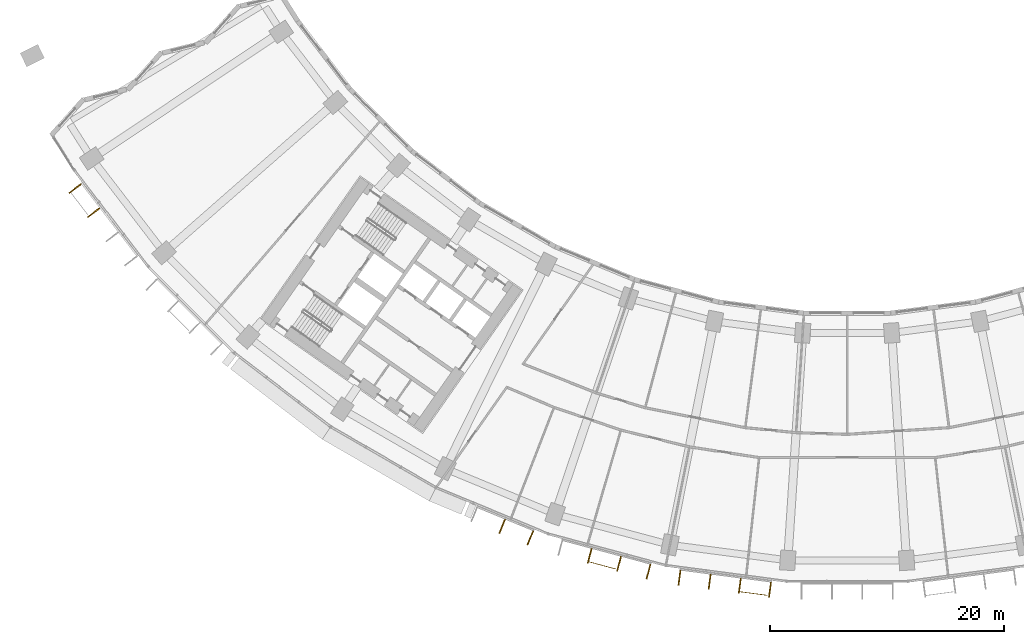
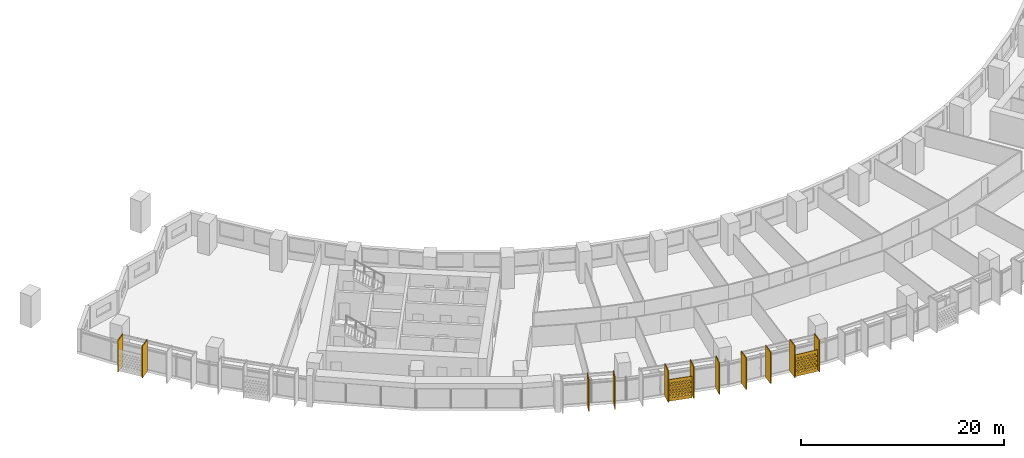
# One storey, part 26 of 31: 13 shading devices.
"""IFC4 building model written with IfcOpenShell, lengths in metres."""

import ifcopenshell
import ifcopenshell.guid

model = None  # the IFC model being written
_history = None  # IfcOwnerHistory: only IFC2X3 demands one
_inside = {}  # id of a spatial element -> (the spatial element, [elements in it])
_under = {}  # id of a project, library or spatial element -> (it, [spatial elements below it])
_declared = {}  # id of a project -> (the project, [libraries it declares])
_typed = {}  # id of a type object -> (the type object, [elements of that type])
_made_of = {}  # id of a material, layer set ... -> (it, [elements and type objects made of it])


def new_model(schema):
    """Start an empty IFC model of exactly this schema.

    Asked for "IFC4X3", IfcOpenShell would pick the latest addendum, in which some entities
    have other attributes; the version numbers below select the first issue.
    IFC2X3 requires an IfcOwnerHistory on every rooted entity: one is made here for all.
    """
    global model, _history
    if schema == "IFC4X3":
        model = ifcopenshell.file(schema_version=(4, 3, 0, 0))
    else:
        model = ifcopenshell.file(schema=schema)
    _inside.clear()
    _under.clear()
    _declared.clear()
    _typed.clear()
    _made_of.clear()
    _history = None
    if model.schema == "IFC2X3":
        org = make("IfcOrganization", Name="unknown")
        user = make(
            "IfcPersonAndOrganization",
            ThePerson=make("IfcPerson", FamilyName="unknown"),
            TheOrganization=org,
        )
        app = make(
            "IfcApplication",
            ApplicationDeveloper=org,
            Version="unknown",
            ApplicationFullName="unknown",
            ApplicationIdentifier="unknown",
        )
        _history = make(
            "IfcOwnerHistory",
            OwningUser=user,
            OwningApplication=app,
            ChangeAction="ADDED",
            CreationDate=0,
        )
    return model


def make(cls, **values):
    """One entity of the class cls with the attributes given. An attribute that is None is left unset."""
    return model.create_entity(
        cls, **{name: value for name, value in values.items() if value is not None}
    )


def rooted(cls, **values):
    """An entity with a GlobalId (a new one), such as an element, a storey or a relation."""
    return make(cls, GlobalId=ifcopenshell.guid.new(), OwnerHistory=_history, **values)


def si_unit(unit_type, name, prefix=None):
    """IfcSIUnit, for example si_unit("LENGTHUNIT", "METRE", prefix="MILLI")."""
    return make("IfcSIUnit", UnitType=unit_type, Prefix=prefix, Name=name)


def assignment(units):
    """IfcUnitAssignment: the units of a project."""
    return None if units is None else make("IfcUnitAssignment", Units=units)


def point(xyz):
    """IfcCartesianPoint."""
    return None if xyz is None else make("IfcCartesianPoint", Coordinates=xyz)


def direction(xyz):
    """IfcDirection."""
    return None if xyz is None else make("IfcDirection", DirectionRatios=xyz)


def frame(location, z_axis=None, x_axis=None):
    """IfcAxis2Placement3D, a coordinate frame: its origin and axes. An axis left out is left unset."""
    return make(
        "IfcAxis2Placement3D",
        Location=point(location),
        Axis=direction(z_axis),
        RefDirection=direction(x_axis),
    )


def frame_2d(location, x_axis=None):
    """IfcAxis2Placement2D, a coordinate frame in the plane: its origin and x axis."""
    return make(
        "IfcAxis2Placement2D", Location=point(location), RefDirection=direction(x_axis)
    )


def origin():
    """The frame at (0, 0, 0) with its axes left unset."""
    return frame((0.0, 0.0, 0.0))


def origin_2d():
    """The frame at (0, 0) in the plane with its x axis left unset."""
    return frame_2d((0.0, 0.0))


def place(relative_to, where):
    """IfcLocalPlacement: puts the frame where relative to a parent placement (None: the world)."""
    return make(
        "IfcLocalPlacement", PlacementRelTo=relative_to, RelativePlacement=where
    )


def context(
    kind, dimensions, precision=None, world=None, true_north=None, identifier=None
):
    """IfcGeometricRepresentationContext, for example the 3D "Model" context."""
    return make(
        "IfcGeometricRepresentationContext",
        ContextIdentifier=identifier,
        ContextType=kind,
        CoordinateSpaceDimension=dimensions,
        Precision=precision,
        WorldCoordinateSystem=world,
        TrueNorth=true_north,
    )


def subcontext(parent, identifier, kind, view, scale=None):
    """IfcGeometricRepresentationSubContext, for example "Body" below "Model"."""
    return make(
        "IfcGeometricRepresentationSubContext",
        ContextIdentifier=identifier,
        ContextType=kind,
        ParentContext=parent,
        TargetScale=scale,
        TargetView=view,
    )


def project(units=None, contexts=None):
    """IfcProject with its units and contexts."""
    return rooted(
        "IfcProject",
        Name="project",
        RepresentationContexts=contexts,
        UnitsInContext=assignment(units),
    )


def spatial(cls, under=None, at=None, **own):
    """A site, building, storey or space (cls), placed at a placement, below another one or the project."""
    s = rooted(cls, ObjectPlacement=at, **own)
    if under is not None:
        _under.setdefault(under.id(), (under, []))[1].append(s)
    return s


def polyline(points):
    """IfcPolyline through the points."""
    return make("IfcPolyline", Points=[point(p) for p in points])


def profile(cls, at=None, kind="AREA", **sizes):
    """A parametric profile (cls). Its sizes go by their IFC names, for example OverallWidth=200.0."""
    return make(cls, ProfileType=kind, Position=at, **sizes)


def rectangle(**sizes):
    """IfcRectangleProfileDef."""
    return profile("IfcRectangleProfileDef", **sizes)


def outline(outer, holes=None, kind="AREA"):
    """IfcArbitraryClosedProfileDef: a profile drawn as a closed curve; with holes, ...WithVoids."""
    if holes is None:
        return make("IfcArbitraryClosedProfileDef", ProfileType=kind, OuterCurve=outer)
    return make(
        "IfcArbitraryProfileDefWithVoids",
        ProfileType=kind,
        OuterCurve=outer,
        InnerCurves=holes,
    )


def extrude(swept, where, along, depth):
    """IfcExtrudedAreaSolid: the profile swept, set in the frame where, extruded along a direction by depth."""
    return make(
        "IfcExtrudedAreaSolid",
        SweptArea=swept,
        Position=where,
        ExtrudedDirection=direction(along),
        Depth=depth,
    )


def shape(context_of_items, identifier, shape_type, items):
    """IfcShapeRepresentation: the items that make up one representation, for example the "Body"."""
    return make(
        "IfcShapeRepresentation",
        ContextOfItems=context_of_items,
        RepresentationIdentifier=identifier,
        RepresentationType=shape_type,
        Items=items,
    )


def material(Name=None, Category=None):
    """IfcMaterial."""
    return make("IfcMaterial", Name=Name, Category=Category)


def material_profile(
    of_material, cross_section, Name=None, Category=None, Priority=None
):
    """IfcMaterialProfile: a cross section and its material."""
    return make(
        "IfcMaterialProfile",
        Name=Name,
        Material=of_material,
        Profile=cross_section,
        Priority=Priority,
        Category=Category,
    )


def profile_set(profiles, Name=None, composite=None):
    """IfcMaterialProfileSet."""
    return make(
        "IfcMaterialProfileSet",
        Name=Name,
        MaterialProfiles=profiles,
        CompositeProfile=composite,
    )


def made_of(thing, what):
    """Note that an element or type object is made of a material, layer set ...; save() writes the relation."""
    if what is not None:
        _made_of.setdefault(what.id(), (what, []))[1].append(thing)
    return thing


def type_object(cls, material=None, **own):
    """A type object (cls), such as IfcWallType, which elements share."""
    return made_of(rooted(cls, **own), material)


def element(
    cls,
    number,
    at=None,
    inside=None,
    cuts=None,
    type_object=None,
    material=None,
    context=None,
    identifier="Body",
    shape_type=None,
    held_by="IfcProductDefinitionShape",
    body=None,
    shapes=None,
    **own,
):
    """One element of the class cls, such as IfcWall. Its Tag is "e" and its number.

    at: its placement. inside: the storey or other place that contains it. cuts: it is an
    opening in that element (IfcRelVoidsElement). A single representation is given by context,
    identifier, shape_type and body (its items); several are given by shapes. held_by: the class
    of the entity that holds the representations. save() writes the other relations.
    """
    e = rooted(cls, Tag="e%d" % number, ObjectPlacement=at, **own)
    if body is not None:
        shapes = [shape(context, identifier, shape_type, body)]
    if shapes is not None:
        e.Representation = make(held_by, Representations=shapes)
    if inside is not None:
        _inside.setdefault(inside.id(), (inside, []))[1].append(e)
    if cuts is not None:
        rooted(
            "IfcRelVoidsElement", RelatingBuildingElement=cuts, RelatedOpeningElement=e
        )
    if type_object is not None:
        _typed.setdefault(type_object.id(), (type_object, []))[1].append(e)
    return made_of(e, material)


def aggregate(whole, parts):
    """IfcRelAggregates: a whole, such as a stair, and the parts it consists of."""
    return rooted("IfcRelAggregates", RelatingObject=whole, RelatedObjects=parts)


def save(model, path):
    """Write the relations noted so far, then the file.

    IfcRelAggregates (storeys below a building ...), IfcRelContainedInSpatialStructure (elements
    in a storey), IfcRelDefinesByType, IfcRelAssociatesMaterial and IfcRelDeclares: one each for
    every whole, place, type object, material and project.
    """
    for whole, parts in _under.values():
        aggregate(whole, parts)
    for where, things in _inside.values():
        rooted(
            "IfcRelContainedInSpatialStructure",
            RelatedElements=things,
            RelatingStructure=where,
        )
    for kind, things in _typed.values():
        rooted("IfcRelDefinesByType", RelatedObjects=things, RelatingType=kind)
    for what, things in _made_of.values():
        rooted("IfcRelAssociatesMaterial", RelatedObjects=things, RelatingMaterial=what)
    for by, libraries in _declared.values():
        rooted("IfcRelDeclares", RelatingContext=by, RelatedDefinitions=libraries)
    model.write(path)


model = new_model("IFC4")

# Units and contexts
model_context = context("Model", 3, precision=1e-05, world=origin(), true_north=direction((0.0, 1.0)))
body_context = subcontext(model_context, "Body", "Model", "MODEL_VIEW")
ifc_project = project(units=[si_unit("LENGTHUNIT", "METRE"), si_unit("AREAUNIT", "SQUARE_METRE"), si_unit("VOLUMEUNIT", "CUBIC_METRE"), si_unit("PLANEANGLEUNIT", "RADIAN"), si_unit("MASSUNIT", "GRAM", prefix="KILO")], contexts=[model_context])

# Site, building, storey
site_placement = place(None, origin())
site = spatial("IfcSite", under=ifc_project, at=site_placement, CompositionType="ELEMENT")
building_placement = place(site_placement, origin())
building = spatial("IfcBuilding", under=site, at=building_placement, Name="Qamariyya Broadcast Tower", CompositionType="ELEMENT")
storey_placement = place(building_placement, frame((0.0, 0.0, 86.10009765625)))
storey = spatial("IfcBuildingStorey", under=building, at=storey_placement, Name="L18", CompositionType="ELEMENT", Elevation=86.10009765625)

# Shading devices
ifc_material_1 = material(Name="Perforated glazed terracotta", Category="masonry")
ifc_material_profile_1 = material_profile(ifc_material_1, outline(polyline([(-1.199951171875, -1.300048828125), (1.199951171875, -1.300048828125), (1.199951171875, 1.300048828125), (-1.199951171875, 1.300048828125), (-1.199951171875, -1.300048828125)]), holes=[polyline([(-0.81494140625, -0.86669921875), (-0.89990234375, -0.78173828125), (-0.985107421875, -0.86669921875), (-0.89990234375, -0.95166015625), (-0.81494140625, -0.86669921875)]), polyline([(-0.514892578125, -0.86669921875), (-0.60009765625, -0.78173828125), (-0.68505859375, -0.86669921875), (-0.60009765625, -0.95166015625), (-0.514892578125, -0.86669921875)]), polyline([(-0.215087890625, -0.86669921875), (-0.300048828125, -0.78173828125), (-0.385009765625, -0.86669921875), (-0.300048828125, -0.95166015625), (-0.215087890625, -0.86669921875)]), polyline([(0.0849609375, -0.86669921875), (0.0, -0.78173828125), (-0.0849609375, -0.86669921875), (0.0, -0.95166015625), (0.0849609375, -0.86669921875)]), polyline([(0.385009765625, -0.86669921875), (0.300048828125, -0.78173828125), (0.215087890625, -0.86669921875), (0.300048828125, -0.95166015625), (0.385009765625, -0.86669921875)]), polyline([(0.68505859375, -0.86669921875), (0.60009765625, -0.78173828125), (0.514892578125, -0.86669921875), (0.60009765625, -0.95166015625), (0.68505859375, -0.86669921875)]), polyline([(0.985107421875, -0.86669921875), (0.89990234375, -0.78173828125), (0.81494140625, -0.86669921875), (0.89990234375, -0.95166015625), (0.985107421875, -0.86669921875)]), polyline([(-0.965087890625, -0.577880859375), (-1.050048828125, -0.49267578125), (-1.135009765625, -0.577880859375), (-1.050048828125, -0.662841796875), (-0.965087890625, -0.577880859375)]), polyline([(-0.6650390625, -0.577880859375), (-0.75, -0.49267578125), (-0.8349609375, -0.577880859375), (-0.75, -0.662841796875), (-0.6650390625, -0.577880859375)]), polyline([(-0.364990234375, -0.577880859375), (-0.449951171875, -0.49267578125), (-0.534912109375, -0.577880859375), (-0.449951171875, -0.662841796875), (-0.364990234375, -0.577880859375)]), polyline([(-0.06494140625, -0.577880859375), (-0.14990234375, -0.49267578125), (-0.235107421875, -0.577880859375), (-0.14990234375, -0.662841796875), (-0.06494140625, -0.577880859375)]), polyline([(0.235107421875, -0.577880859375), (0.14990234375, -0.49267578125), (0.06494140625, -0.577880859375), (0.14990234375, -0.662841796875), (0.235107421875, -0.577880859375)]), polyline([(0.534912109375, -0.577880859375), (0.449951171875, -0.49267578125), (0.364990234375, -0.577880859375), (0.449951171875, -0.662841796875), (0.534912109375, -0.577880859375)]), polyline([(0.8349609375, -0.577880859375), (0.75, -0.49267578125), (0.6650390625, -0.577880859375), (0.75, -0.662841796875), (0.8349609375, -0.577880859375)]), polyline([(1.135009765625, -0.577880859375), (1.050048828125, -0.49267578125), (0.965087890625, -0.577880859375), (1.050048828125, -0.662841796875), (1.135009765625, -0.577880859375)]), polyline([(-0.81494140625, -0.288818359375), (-0.89990234375, -0.203857421875), (-0.985107421875, -0.288818359375), (-0.89990234375, -0.373779296875), (-0.81494140625, -0.288818359375)]), polyline([(-0.514892578125, -0.288818359375), (-0.60009765625, -0.203857421875), (-0.68505859375, -0.288818359375), (-0.60009765625, -0.373779296875), (-0.514892578125, -0.288818359375)]), polyline([(-0.215087890625, -0.288818359375), (-0.300048828125, -0.203857421875), (-0.385009765625, -0.288818359375), (-0.300048828125, -0.373779296875), (-0.215087890625, -0.288818359375)]), polyline([(0.0849609375, -0.288818359375), (0.0, -0.203857421875), (-0.0849609375, -0.288818359375), (0.0, -0.373779296875), (0.0849609375, -0.288818359375)]), polyline([(0.385009765625, -0.288818359375), (0.300048828125, -0.203857421875), (0.215087890625, -0.288818359375), (0.300048828125, -0.373779296875), (0.385009765625, -0.288818359375)]), polyline([(0.68505859375, -0.288818359375), (0.60009765625, -0.203857421875), (0.514892578125, -0.288818359375), (0.60009765625, -0.373779296875), (0.68505859375, -0.288818359375)]), polyline([(0.985107421875, -0.288818359375), (0.89990234375, -0.203857421875), (0.81494140625, -0.288818359375), (0.89990234375, -0.373779296875), (0.985107421875, -0.288818359375)]), polyline([(-0.965087890625, 0.0), (-1.050048828125, 0.0849609375), (-1.135009765625, 0.0), (-1.050048828125, -0.0849609375), (-0.965087890625, 0.0)]), polyline([(-0.6650390625, 0.0), (-0.75, 0.0849609375), (-0.8349609375, 0.0), (-0.75, -0.0849609375), (-0.6650390625, 0.0)]), polyline([(-0.364990234375, 0.0), (-0.449951171875, 0.0849609375), (-0.534912109375, 0.0), (-0.449951171875, -0.0849609375), (-0.364990234375, 0.0)]), polyline([(-0.06494140625, 0.0), (-0.14990234375, 0.0849609375), (-0.235107421875, 0.0), (-0.14990234375, -0.0849609375), (-0.06494140625, 0.0)]), polyline([(0.235107421875, 0.0), (0.14990234375, 0.0849609375), (0.06494140625, 0.0), (0.14990234375, -0.0849609375), (0.235107421875, 0.0)]), polyline([(0.534912109375, 0.0), (0.449951171875, 0.0849609375), (0.364990234375, 0.0), (0.449951171875, -0.0849609375), (0.534912109375, 0.0)]), polyline([(0.8349609375, 0.0), (0.75, 0.0849609375), (0.6650390625, 0.0), (0.75, -0.0849609375), (0.8349609375, 0.0)]), polyline([(1.135009765625, 0.0), (1.050048828125, 0.0849609375), (0.965087890625, 0.0), (1.050048828125, -0.0849609375), (1.135009765625, 0.0)]), polyline([(-0.81494140625, 0.288818359375), (-0.89990234375, 0.373779296875), (-0.985107421875, 0.288818359375), (-0.89990234375, 0.203857421875), (-0.81494140625, 0.288818359375)]), polyline([(-0.514892578125, 0.288818359375), (-0.60009765625, 0.373779296875), (-0.68505859375, 0.288818359375), (-0.60009765625, 0.203857421875), (-0.514892578125, 0.288818359375)]), polyline([(-0.215087890625, 0.288818359375), (-0.300048828125, 0.373779296875), (-0.385009765625, 0.288818359375), (-0.300048828125, 0.203857421875), (-0.215087890625, 0.288818359375)]), polyline([(0.0849609375, 0.288818359375), (0.0, 0.373779296875), (-0.0849609375, 0.288818359375), (0.0, 0.203857421875), (0.0849609375, 0.288818359375)]), polyline([(0.385009765625, 0.288818359375), (0.300048828125, 0.373779296875), (0.215087890625, 0.288818359375), (0.300048828125, 0.203857421875), (0.385009765625, 0.288818359375)]), polyline([(0.68505859375, 0.288818359375), (0.60009765625, 0.373779296875), (0.514892578125, 0.288818359375), (0.60009765625, 0.203857421875), (0.68505859375, 0.288818359375)]), polyline([(0.985107421875, 0.288818359375), (0.89990234375, 0.373779296875), (0.81494140625, 0.288818359375), (0.89990234375, 0.203857421875), (0.985107421875, 0.288818359375)]), polyline([(-0.965087890625, 0.577880859375), (-1.050048828125, 0.662841796875), (-1.135009765625, 0.577880859375), (-1.050048828125, 0.49267578125), (-0.965087890625, 0.577880859375)]), polyline([(-0.6650390625, 0.577880859375), (-0.75, 0.662841796875), (-0.8349609375, 0.577880859375), (-0.75, 0.49267578125), (-0.6650390625, 0.577880859375)]), polyline([(-0.364990234375, 0.577880859375), (-0.449951171875, 0.662841796875), (-0.534912109375, 0.577880859375), (-0.449951171875, 0.49267578125), (-0.364990234375, 0.577880859375)]), polyline([(-0.06494140625, 0.577880859375), (-0.14990234375, 0.662841796875), (-0.235107421875, 0.577880859375), (-0.14990234375, 0.49267578125), (-0.06494140625, 0.577880859375)]), polyline([(0.235107421875, 0.577880859375), (0.14990234375, 0.662841796875), (0.06494140625, 0.577880859375), (0.14990234375, 0.49267578125), (0.235107421875, 0.577880859375)]), polyline([(0.534912109375, 0.577880859375), (0.449951171875, 0.662841796875), (0.364990234375, 0.577880859375), (0.449951171875, 0.49267578125), (0.534912109375, 0.577880859375)]), polyline([(0.8349609375, 0.577880859375), (0.75, 0.662841796875), (0.6650390625, 0.577880859375), (0.75, 0.49267578125), (0.8349609375, 0.577880859375)]), polyline([(1.135009765625, 0.577880859375), (1.050048828125, 0.662841796875), (0.965087890625, 0.577880859375), (1.050048828125, 0.49267578125), (1.135009765625, 0.577880859375)]), polyline([(-0.81494140625, 0.86669921875), (-0.89990234375, 0.95166015625), (-0.985107421875, 0.86669921875), (-0.89990234375, 0.78173828125), (-0.81494140625, 0.86669921875)]), polyline([(-0.514892578125, 0.86669921875), (-0.60009765625, 0.95166015625), (-0.68505859375, 0.86669921875), (-0.60009765625, 0.78173828125), (-0.514892578125, 0.86669921875)]), polyline([(-0.215087890625, 0.86669921875), (-0.300048828125, 0.95166015625), (-0.385009765625, 0.86669921875), (-0.300048828125, 0.78173828125), (-0.215087890625, 0.86669921875)]), polyline([(0.0849609375, 0.86669921875), (0.0, 0.95166015625), (-0.0849609375, 0.86669921875), (0.0, 0.78173828125), (0.0849609375, 0.86669921875)]), polyline([(0.385009765625, 0.86669921875), (0.300048828125, 0.95166015625), (0.215087890625, 0.86669921875), (0.300048828125, 0.78173828125), (0.385009765625, 0.86669921875)]), polyline([(0.68505859375, 0.86669921875), (0.60009765625, 0.95166015625), (0.514892578125, 0.86669921875), (0.60009765625, 0.78173828125), (0.68505859375, 0.86669921875)]), polyline([(0.985107421875, 0.86669921875), (0.89990234375, 0.95166015625), (0.81494140625, 0.86669921875), (0.89990234375, 0.78173828125), (0.985107421875, 0.86669921875)])]))
ifc_profile_set_1 = profile_set([ifc_material_profile_1], Name="Perforated glazed terracotta")
shading_device_type_1 = type_object("IfcShadingDeviceType", Name="Perforated terracotta screen 2400 x 2600", PredefinedType="USERDEFINED", material=ifc_profile_set_1)
shading_device_1_placement = place(storey_placement, frame((-20.949951171875, -77.984375, 1.349853515625), z_axis=(-0.259682438219, -0.965694067125, 0.0), x_axis=(0.965694067125, -0.259682438219, 0.0)))
element("IfcShadingDevice", 1, at=shading_device_1_placement, inside=storey, type_object=shading_device_type_1, Name="e-scr-L18-06-1", ObjectType="SCREEN", PredefinedType="USERDEFINED", context=body_context, shape_type="SweptSolid", body=[
    extrude(outline(polyline([(-1.199951171875, -1.300048828125), (1.199951171875, -1.300048828125), (1.199951171875, 1.300048828125), (-1.199951171875, 1.300048828125), (-1.199951171875, -1.300048828125)]), holes=[polyline([(-0.81494140625, -0.86669921875), (-0.89990234375, -0.78173828125), (-0.985107421875, -0.86669921875), (-0.89990234375, -0.95166015625), (-0.81494140625, -0.86669921875)]), polyline([(-0.514892578125, -0.86669921875), (-0.60009765625, -0.78173828125), (-0.68505859375, -0.86669921875), (-0.60009765625, -0.95166015625), (-0.514892578125, -0.86669921875)]), polyline([(-0.215087890625, -0.86669921875), (-0.300048828125, -0.78173828125), (-0.385009765625, -0.86669921875), (-0.300048828125, -0.95166015625), (-0.215087890625, -0.86669921875)]), polyline([(0.0849609375, -0.86669921875), (0.0, -0.78173828125), (-0.0849609375, -0.86669921875), (0.0, -0.95166015625), (0.0849609375, -0.86669921875)]), polyline([(0.385009765625, -0.86669921875), (0.300048828125, -0.78173828125), (0.215087890625, -0.86669921875), (0.300048828125, -0.95166015625), (0.385009765625, -0.86669921875)]), polyline([(0.68505859375, -0.86669921875), (0.60009765625, -0.78173828125), (0.514892578125, -0.86669921875), (0.60009765625, -0.95166015625), (0.68505859375, -0.86669921875)]), polyline([(0.985107421875, -0.86669921875), (0.89990234375, -0.78173828125), (0.81494140625, -0.86669921875), (0.89990234375, -0.95166015625), (0.985107421875, -0.86669921875)]), polyline([(-0.965087890625, -0.577880859375), (-1.050048828125, -0.49267578125), (-1.135009765625, -0.577880859375), (-1.050048828125, -0.662841796875), (-0.965087890625, -0.577880859375)]), polyline([(-0.6650390625, -0.577880859375), (-0.75, -0.49267578125), (-0.8349609375, -0.577880859375), (-0.75, -0.662841796875), (-0.6650390625, -0.577880859375)]), polyline([(-0.364990234375, -0.577880859375), (-0.449951171875, -0.49267578125), (-0.534912109375, -0.577880859375), (-0.449951171875, -0.662841796875), (-0.364990234375, -0.577880859375)]), polyline([(-0.06494140625, -0.577880859375), (-0.14990234375, -0.49267578125), (-0.235107421875, -0.577880859375), (-0.14990234375, -0.662841796875), (-0.06494140625, -0.577880859375)]), polyline([(0.235107421875, -0.577880859375), (0.14990234375, -0.49267578125), (0.06494140625, -0.577880859375), (0.14990234375, -0.662841796875), (0.235107421875, -0.577880859375)]), polyline([(0.534912109375, -0.577880859375), (0.449951171875, -0.49267578125), (0.364990234375, -0.577880859375), (0.449951171875, -0.662841796875), (0.534912109375, -0.577880859375)]), polyline([(0.8349609375, -0.577880859375), (0.75, -0.49267578125), (0.6650390625, -0.577880859375), (0.75, -0.662841796875), (0.8349609375, -0.577880859375)]), polyline([(1.135009765625, -0.577880859375), (1.050048828125, -0.49267578125), (0.965087890625, -0.577880859375), (1.050048828125, -0.662841796875), (1.135009765625, -0.577880859375)]), polyline([(-0.81494140625, -0.288818359375), (-0.89990234375, -0.203857421875), (-0.985107421875, -0.288818359375), (-0.89990234375, -0.373779296875), (-0.81494140625, -0.288818359375)]), polyline([(-0.514892578125, -0.288818359375), (-0.60009765625, -0.203857421875), (-0.68505859375, -0.288818359375), (-0.60009765625, -0.373779296875), (-0.514892578125, -0.288818359375)]), polyline([(-0.215087890625, -0.288818359375), (-0.300048828125, -0.203857421875), (-0.385009765625, -0.288818359375), (-0.300048828125, -0.373779296875), (-0.215087890625, -0.288818359375)]), polyline([(0.0849609375, -0.288818359375), (0.0, -0.203857421875), (-0.0849609375, -0.288818359375), (0.0, -0.373779296875), (0.0849609375, -0.288818359375)]), polyline([(0.385009765625, -0.288818359375), (0.300048828125, -0.203857421875), (0.215087890625, -0.288818359375), (0.300048828125, -0.373779296875), (0.385009765625, -0.288818359375)]), polyline([(0.68505859375, -0.288818359375), (0.60009765625, -0.203857421875), (0.514892578125, -0.288818359375), (0.60009765625, -0.373779296875), (0.68505859375, -0.288818359375)]), polyline([(0.985107421875, -0.288818359375), (0.89990234375, -0.203857421875), (0.81494140625, -0.288818359375), (0.89990234375, -0.373779296875), (0.985107421875, -0.288818359375)]), polyline([(-0.965087890625, 0.0), (-1.050048828125, 0.0849609375), (-1.135009765625, 0.0), (-1.050048828125, -0.0849609375), (-0.965087890625, 0.0)]), polyline([(-0.6650390625, 0.0), (-0.75, 0.0849609375), (-0.8349609375, 0.0), (-0.75, -0.0849609375), (-0.6650390625, 0.0)]), polyline([(-0.364990234375, 0.0), (-0.449951171875, 0.0849609375), (-0.534912109375, 0.0), (-0.449951171875, -0.0849609375), (-0.364990234375, 0.0)]), polyline([(-0.06494140625, 0.0), (-0.14990234375, 0.0849609375), (-0.235107421875, 0.0), (-0.14990234375, -0.0849609375), (-0.06494140625, 0.0)]), polyline([(0.235107421875, 0.0), (0.14990234375, 0.0849609375), (0.06494140625, 0.0), (0.14990234375, -0.0849609375), (0.235107421875, 0.0)]), polyline([(0.534912109375, 0.0), (0.449951171875, 0.0849609375), (0.364990234375, 0.0), (0.449951171875, -0.0849609375), (0.534912109375, 0.0)]), polyline([(0.8349609375, 0.0), (0.75, 0.0849609375), (0.6650390625, 0.0), (0.75, -0.0849609375), (0.8349609375, 0.0)]), polyline([(1.135009765625, 0.0), (1.050048828125, 0.0849609375), (0.965087890625, 0.0), (1.050048828125, -0.0849609375), (1.135009765625, 0.0)]), polyline([(-0.81494140625, 0.288818359375), (-0.89990234375, 0.373779296875), (-0.985107421875, 0.288818359375), (-0.89990234375, 0.203857421875), (-0.81494140625, 0.288818359375)]), polyline([(-0.514892578125, 0.288818359375), (-0.60009765625, 0.373779296875), (-0.68505859375, 0.288818359375), (-0.60009765625, 0.203857421875), (-0.514892578125, 0.288818359375)]), polyline([(-0.215087890625, 0.288818359375), (-0.300048828125, 0.373779296875), (-0.385009765625, 0.288818359375), (-0.300048828125, 0.203857421875), (-0.215087890625, 0.288818359375)]), polyline([(0.0849609375, 0.288818359375), (0.0, 0.373779296875), (-0.0849609375, 0.288818359375), (0.0, 0.203857421875), (0.0849609375, 0.288818359375)]), polyline([(0.385009765625, 0.288818359375), (0.300048828125, 0.373779296875), (0.215087890625, 0.288818359375), (0.300048828125, 0.203857421875), (0.385009765625, 0.288818359375)]), polyline([(0.68505859375, 0.288818359375), (0.60009765625, 0.373779296875), (0.514892578125, 0.288818359375), (0.60009765625, 0.203857421875), (0.68505859375, 0.288818359375)]), polyline([(0.985107421875, 0.288818359375), (0.89990234375, 0.373779296875), (0.81494140625, 0.288818359375), (0.89990234375, 0.203857421875), (0.985107421875, 0.288818359375)]), polyline([(-0.965087890625, 0.577880859375), (-1.050048828125, 0.662841796875), (-1.135009765625, 0.577880859375), (-1.050048828125, 0.49267578125), (-0.965087890625, 0.577880859375)]), polyline([(-0.6650390625, 0.577880859375), (-0.75, 0.662841796875), (-0.8349609375, 0.577880859375), (-0.75, 0.49267578125), (-0.6650390625, 0.577880859375)]), polyline([(-0.364990234375, 0.577880859375), (-0.449951171875, 0.662841796875), (-0.534912109375, 0.577880859375), (-0.449951171875, 0.49267578125), (-0.364990234375, 0.577880859375)]), polyline([(-0.06494140625, 0.577880859375), (-0.14990234375, 0.662841796875), (-0.235107421875, 0.577880859375), (-0.14990234375, 0.49267578125), (-0.06494140625, 0.577880859375)]), polyline([(0.235107421875, 0.577880859375), (0.14990234375, 0.662841796875), (0.06494140625, 0.577880859375), (0.14990234375, 0.49267578125), (0.235107421875, 0.577880859375)]), polyline([(0.534912109375, 0.577880859375), (0.449951171875, 0.662841796875), (0.364990234375, 0.577880859375), (0.449951171875, 0.49267578125), (0.534912109375, 0.577880859375)]), polyline([(0.8349609375, 0.577880859375), (0.75, 0.662841796875), (0.6650390625, 0.577880859375), (0.75, 0.49267578125), (0.8349609375, 0.577880859375)]), polyline([(1.135009765625, 0.577880859375), (1.050048828125, 0.662841796875), (0.965087890625, 0.577880859375), (1.050048828125, 0.49267578125), (1.135009765625, 0.577880859375)]), polyline([(-0.81494140625, 0.86669921875), (-0.89990234375, 0.95166015625), (-0.985107421875, 0.86669921875), (-0.89990234375, 0.78173828125), (-0.81494140625, 0.86669921875)]), polyline([(-0.514892578125, 0.86669921875), (-0.60009765625, 0.95166015625), (-0.68505859375, 0.86669921875), (-0.60009765625, 0.78173828125), (-0.514892578125, 0.86669921875)]), polyline([(-0.215087890625, 0.86669921875), (-0.300048828125, 0.95166015625), (-0.385009765625, 0.86669921875), (-0.300048828125, 0.78173828125), (-0.215087890625, 0.86669921875)]), polyline([(0.0849609375, 0.86669921875), (0.0, 0.95166015625), (-0.0849609375, 0.86669921875), (0.0, 0.78173828125), (0.0849609375, 0.86669921875)]), polyline([(0.385009765625, 0.86669921875), (0.300048828125, 0.95166015625), (0.215087890625, 0.86669921875), (0.300048828125, 0.78173828125), (0.385009765625, 0.86669921875)]), polyline([(0.68505859375, 0.86669921875), (0.60009765625, 0.95166015625), (0.514892578125, 0.86669921875), (0.60009765625, 0.78173828125), (0.68505859375, 0.86669921875)]), polyline([(0.985107421875, 0.86669921875), (0.89990234375, 0.95166015625), (0.81494140625, 0.86669921875), (0.89990234375, 0.78173828125), (0.985107421875, 0.86669921875)])]), origin(), (0.0, 0.0, 1.0), 0.06005859375),
])
shading_device_2_placement = place(storey_placement, frame((-8.009521484375, -80.391845703125, 1.349853515625), z_axis=(-0.13056005306, -0.991440402921, 0.0), x_axis=(0.991440402921, -0.13056005306, 0.0)))
element("IfcShadingDevice", 2, at=shading_device_2_placement, inside=storey, type_object=shading_device_type_1, Name="e-scr-L18-07-2", ObjectType="SCREEN", PredefinedType="USERDEFINED", context=body_context, shape_type="SweptSolid", body=[
    extrude(outline(polyline([(-1.199951171875, -1.300048828125), (1.199951171875, -1.300048828125), (1.199951171875, 1.300048828125), (-1.199951171875, 1.300048828125), (-1.199951171875, -1.300048828125)]), holes=[polyline([(-0.81494140625, -0.86669921875), (-0.89990234375, -0.78173828125), (-0.985107421875, -0.86669921875), (-0.89990234375, -0.95166015625), (-0.81494140625, -0.86669921875)]), polyline([(-0.514892578125, -0.86669921875), (-0.60009765625, -0.78173828125), (-0.68505859375, -0.86669921875), (-0.60009765625, -0.95166015625), (-0.514892578125, -0.86669921875)]), polyline([(-0.215087890625, -0.86669921875), (-0.300048828125, -0.78173828125), (-0.385009765625, -0.86669921875), (-0.300048828125, -0.95166015625), (-0.215087890625, -0.86669921875)]), polyline([(0.0849609375, -0.86669921875), (0.0, -0.78173828125), (-0.0849609375, -0.86669921875), (0.0, -0.95166015625), (0.0849609375, -0.86669921875)]), polyline([(0.385009765625, -0.86669921875), (0.300048828125, -0.78173828125), (0.215087890625, -0.86669921875), (0.300048828125, -0.95166015625), (0.385009765625, -0.86669921875)]), polyline([(0.68505859375, -0.86669921875), (0.60009765625, -0.78173828125), (0.514892578125, -0.86669921875), (0.60009765625, -0.95166015625), (0.68505859375, -0.86669921875)]), polyline([(0.985107421875, -0.86669921875), (0.89990234375, -0.78173828125), (0.81494140625, -0.86669921875), (0.89990234375, -0.95166015625), (0.985107421875, -0.86669921875)]), polyline([(-0.965087890625, -0.577880859375), (-1.050048828125, -0.49267578125), (-1.135009765625, -0.577880859375), (-1.050048828125, -0.662841796875), (-0.965087890625, -0.577880859375)]), polyline([(-0.6650390625, -0.577880859375), (-0.75, -0.49267578125), (-0.8349609375, -0.577880859375), (-0.75, -0.662841796875), (-0.6650390625, -0.577880859375)]), polyline([(-0.364990234375, -0.577880859375), (-0.449951171875, -0.49267578125), (-0.534912109375, -0.577880859375), (-0.449951171875, -0.662841796875), (-0.364990234375, -0.577880859375)]), polyline([(-0.06494140625, -0.577880859375), (-0.14990234375, -0.49267578125), (-0.235107421875, -0.577880859375), (-0.14990234375, -0.662841796875), (-0.06494140625, -0.577880859375)]), polyline([(0.235107421875, -0.577880859375), (0.14990234375, -0.49267578125), (0.06494140625, -0.577880859375), (0.14990234375, -0.662841796875), (0.235107421875, -0.577880859375)]), polyline([(0.534912109375, -0.577880859375), (0.449951171875, -0.49267578125), (0.364990234375, -0.577880859375), (0.449951171875, -0.662841796875), (0.534912109375, -0.577880859375)]), polyline([(0.8349609375, -0.577880859375), (0.75, -0.49267578125), (0.6650390625, -0.577880859375), (0.75, -0.662841796875), (0.8349609375, -0.577880859375)]), polyline([(1.135009765625, -0.577880859375), (1.050048828125, -0.49267578125), (0.965087890625, -0.577880859375), (1.050048828125, -0.662841796875), (1.135009765625, -0.577880859375)]), polyline([(-0.81494140625, -0.288818359375), (-0.89990234375, -0.203857421875), (-0.985107421875, -0.288818359375), (-0.89990234375, -0.373779296875), (-0.81494140625, -0.288818359375)]), polyline([(-0.514892578125, -0.288818359375), (-0.60009765625, -0.203857421875), (-0.68505859375, -0.288818359375), (-0.60009765625, -0.373779296875), (-0.514892578125, -0.288818359375)]), polyline([(-0.215087890625, -0.288818359375), (-0.300048828125, -0.203857421875), (-0.385009765625, -0.288818359375), (-0.300048828125, -0.373779296875), (-0.215087890625, -0.288818359375)]), polyline([(0.0849609375, -0.288818359375), (0.0, -0.203857421875), (-0.0849609375, -0.288818359375), (0.0, -0.373779296875), (0.0849609375, -0.288818359375)]), polyline([(0.385009765625, -0.288818359375), (0.300048828125, -0.203857421875), (0.215087890625, -0.288818359375), (0.300048828125, -0.373779296875), (0.385009765625, -0.288818359375)]), polyline([(0.68505859375, -0.288818359375), (0.60009765625, -0.203857421875), (0.514892578125, -0.288818359375), (0.60009765625, -0.373779296875), (0.68505859375, -0.288818359375)]), polyline([(0.985107421875, -0.288818359375), (0.89990234375, -0.203857421875), (0.81494140625, -0.288818359375), (0.89990234375, -0.373779296875), (0.985107421875, -0.288818359375)]), polyline([(-0.965087890625, 0.0), (-1.050048828125, 0.0849609375), (-1.135009765625, 0.0), (-1.050048828125, -0.0849609375), (-0.965087890625, 0.0)]), polyline([(-0.6650390625, 0.0), (-0.75, 0.0849609375), (-0.8349609375, 0.0), (-0.75, -0.0849609375), (-0.6650390625, 0.0)]), polyline([(-0.364990234375, 0.0), (-0.449951171875, 0.0849609375), (-0.534912109375, 0.0), (-0.449951171875, -0.0849609375), (-0.364990234375, 0.0)]), polyline([(-0.06494140625, 0.0), (-0.14990234375, 0.0849609375), (-0.235107421875, 0.0), (-0.14990234375, -0.0849609375), (-0.06494140625, 0.0)]), polyline([(0.235107421875, 0.0), (0.14990234375, 0.0849609375), (0.06494140625, 0.0), (0.14990234375, -0.0849609375), (0.235107421875, 0.0)]), polyline([(0.534912109375, 0.0), (0.449951171875, 0.0849609375), (0.364990234375, 0.0), (0.449951171875, -0.0849609375), (0.534912109375, 0.0)]), polyline([(0.8349609375, 0.0), (0.75, 0.0849609375), (0.6650390625, 0.0), (0.75, -0.0849609375), (0.8349609375, 0.0)]), polyline([(1.135009765625, 0.0), (1.050048828125, 0.0849609375), (0.965087890625, 0.0), (1.050048828125, -0.0849609375), (1.135009765625, 0.0)]), polyline([(-0.81494140625, 0.288818359375), (-0.89990234375, 0.373779296875), (-0.985107421875, 0.288818359375), (-0.89990234375, 0.203857421875), (-0.81494140625, 0.288818359375)]), polyline([(-0.514892578125, 0.288818359375), (-0.60009765625, 0.373779296875), (-0.68505859375, 0.288818359375), (-0.60009765625, 0.203857421875), (-0.514892578125, 0.288818359375)]), polyline([(-0.215087890625, 0.288818359375), (-0.300048828125, 0.373779296875), (-0.385009765625, 0.288818359375), (-0.300048828125, 0.203857421875), (-0.215087890625, 0.288818359375)]), polyline([(0.0849609375, 0.288818359375), (0.0, 0.373779296875), (-0.0849609375, 0.288818359375), (0.0, 0.203857421875), (0.0849609375, 0.288818359375)]), polyline([(0.385009765625, 0.288818359375), (0.300048828125, 0.373779296875), (0.215087890625, 0.288818359375), (0.300048828125, 0.203857421875), (0.385009765625, 0.288818359375)]), polyline([(0.68505859375, 0.288818359375), (0.60009765625, 0.373779296875), (0.514892578125, 0.288818359375), (0.60009765625, 0.203857421875), (0.68505859375, 0.288818359375)]), polyline([(0.985107421875, 0.288818359375), (0.89990234375, 0.373779296875), (0.81494140625, 0.288818359375), (0.89990234375, 0.203857421875), (0.985107421875, 0.288818359375)]), polyline([(-0.965087890625, 0.577880859375), (-1.050048828125, 0.662841796875), (-1.135009765625, 0.577880859375), (-1.050048828125, 0.49267578125), (-0.965087890625, 0.577880859375)]), polyline([(-0.6650390625, 0.577880859375), (-0.75, 0.662841796875), (-0.8349609375, 0.577880859375), (-0.75, 0.49267578125), (-0.6650390625, 0.577880859375)]), polyline([(-0.364990234375, 0.577880859375), (-0.449951171875, 0.662841796875), (-0.534912109375, 0.577880859375), (-0.449951171875, 0.49267578125), (-0.364990234375, 0.577880859375)]), polyline([(-0.06494140625, 0.577880859375), (-0.14990234375, 0.662841796875), (-0.235107421875, 0.577880859375), (-0.14990234375, 0.49267578125), (-0.06494140625, 0.577880859375)]), polyline([(0.235107421875, 0.577880859375), (0.14990234375, 0.662841796875), (0.06494140625, 0.577880859375), (0.14990234375, 0.49267578125), (0.235107421875, 0.577880859375)]), polyline([(0.534912109375, 0.577880859375), (0.449951171875, 0.662841796875), (0.364990234375, 0.577880859375), (0.449951171875, 0.49267578125), (0.534912109375, 0.577880859375)]), polyline([(0.8349609375, 0.577880859375), (0.75, 0.662841796875), (0.6650390625, 0.577880859375), (0.75, 0.49267578125), (0.8349609375, 0.577880859375)]), polyline([(1.135009765625, 0.577880859375), (1.050048828125, 0.662841796875), (0.965087890625, 0.577880859375), (1.050048828125, 0.49267578125), (1.135009765625, 0.577880859375)]), polyline([(-0.81494140625, 0.86669921875), (-0.89990234375, 0.95166015625), (-0.985107421875, 0.86669921875), (-0.89990234375, 0.78173828125), (-0.81494140625, 0.86669921875)]), polyline([(-0.514892578125, 0.86669921875), (-0.60009765625, 0.95166015625), (-0.68505859375, 0.86669921875), (-0.60009765625, 0.78173828125), (-0.514892578125, 0.86669921875)]), polyline([(-0.215087890625, 0.86669921875), (-0.300048828125, 0.95166015625), (-0.385009765625, 0.86669921875), (-0.300048828125, 0.78173828125), (-0.215087890625, 0.86669921875)]), polyline([(0.0849609375, 0.86669921875), (0.0, 0.95166015625), (-0.0849609375, 0.86669921875), (0.0, 0.78173828125), (0.0849609375, 0.86669921875)]), polyline([(0.385009765625, 0.86669921875), (0.300048828125, 0.95166015625), (0.215087890625, 0.86669921875), (0.300048828125, 0.78173828125), (0.385009765625, 0.86669921875)]), polyline([(0.68505859375, 0.86669921875), (0.60009765625, 0.95166015625), (0.514892578125, 0.86669921875), (0.60009765625, 0.78173828125), (0.68505859375, 0.86669921875)]), polyline([(0.985107421875, 0.86669921875), (0.89990234375, 0.95166015625), (0.81494140625, 0.86669921875), (0.89990234375, 0.78173828125), (0.985107421875, 0.86669921875)])]), origin(), (0.0, 0.0, 1.0), 0.059814453125),
])
ifc_material_2 = material(Name="Glazed terracotta", Category="masonry")
ifc_material_profile_2 = material_profile(ifc_material_2, rectangle(XDim=1.300048828125, YDim=0.10009765625, at=origin_2d()))
ifc_profile_set_2 = profile_set([ifc_material_profile_2], Name="Glazed terracotta")
shading_device_type_2 = type_object("IfcShadingDeviceType", Name="Terracotta fin 100 x 1300", PredefinedType="USERDEFINED", material=ifc_profile_set_2)
for number, where, z_axis, x_axis, name in (
    (3, (-66.068359375, -45.771484375, 0.0), (0.0, 0.0, 1.0), (-0.793353340291, -0.608761429009, 0.0), "e-fin-L18-01-0"),
    (4, (-64.48291015625, -47.837890625, 0.0), (0.0, 0.0, 1.0), (-0.793353340291, -0.608761429009, 0.0), "e-fin-L18-01-1"),
    (5, (-29.518310546875, -74.6669921875, 0.0), (0.0, 0.0, 1.0), (-0.382683432365, -0.923879532511, 0.0), "e-fin-L18-05-2"),
    (6, (-27.112060546875, -75.663818359375, 0.0), (0.0, 0.0, 1.0), (-0.382683432365, -0.923879532511, 0.0), "e-fin-L18-05-3"),
    (7, (-22.035888671875, -77.20703125, 0.0), (0.0, 0.0, 1.0), (-0.258819045103, -0.965925826289, 0.0), "e-fin-L18-06-1"),
    (8, (-19.519775390625, -77.881103515625, 0.0), (0.0, 0.0, 1.0), (-0.258819045103, -0.965925826289, 0.0), "e-fin-L18-06-2"),
    (9, (-17.00390625, -78.55517578125, 0.0), (0.0, 0.0, 1.0), (-0.258819045103, -0.965925826289, 0.0), "e-fin-L18-06-3"),
    (10, (-14.35205078125, -79.082763671875, 0.0), (0.0, 0.0, 1.0), (-0.13052619222, -0.991444861374, 0.0), "e-fin-L18-07-0"),
    (11, (-11.769775390625, -79.422607421875, 0.0), (0.0, 0.0, 1.0), (-0.13052619222, -0.991444861374, 0.0), "e-fin-L18-07-1"),
    (12, (-9.187255859375, -79.7626953125, 0.0), (0.0, 0.0, 1.0), (-0.13052619222, -0.991444861374, 0.0), "e-fin-L18-07-2"),
    (13, (-6.60498046875, -80.1025390625, 0.0), (0.0, 0.0, 1.0), (-0.13052619222, -0.991444861374, 0.0), "e-fin-L18-07-3"),
):
    element("IfcShadingDevice", number, at=place(storey_placement, frame(where, z_axis=z_axis, x_axis=x_axis)), inside=storey, type_object=shading_device_type_2, Name=name, ObjectType="FIN", PredefinedType="USERDEFINED", context=body_context, shape_type="SweptSolid", body=[
        extrude(rectangle(XDim=1.300048828125, YDim=0.10009765625, at=origin_2d()), origin(), (0.0, 0.0, 1.0), 3.7998046875),
    ])

save(model, "model.ifc")
